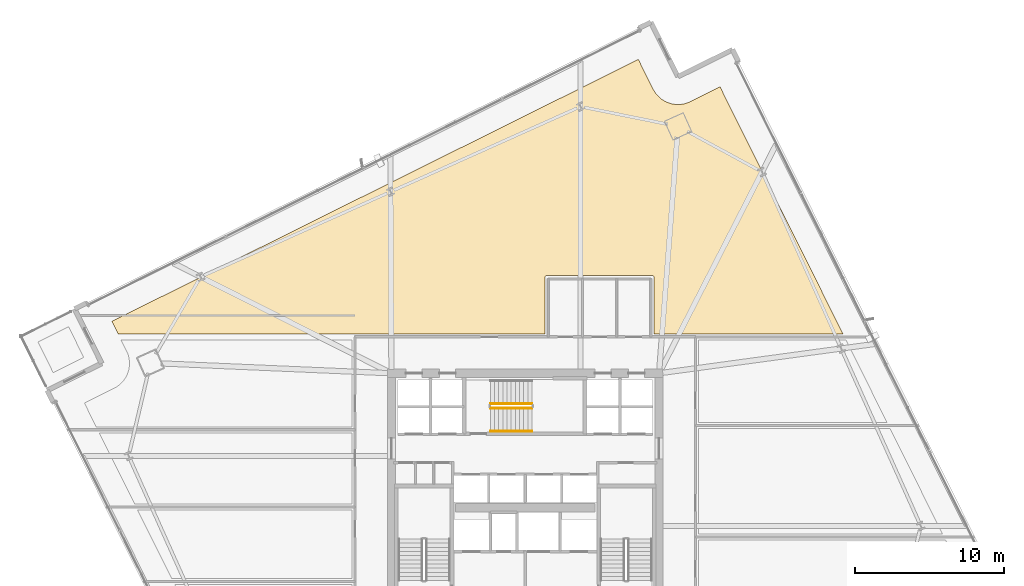
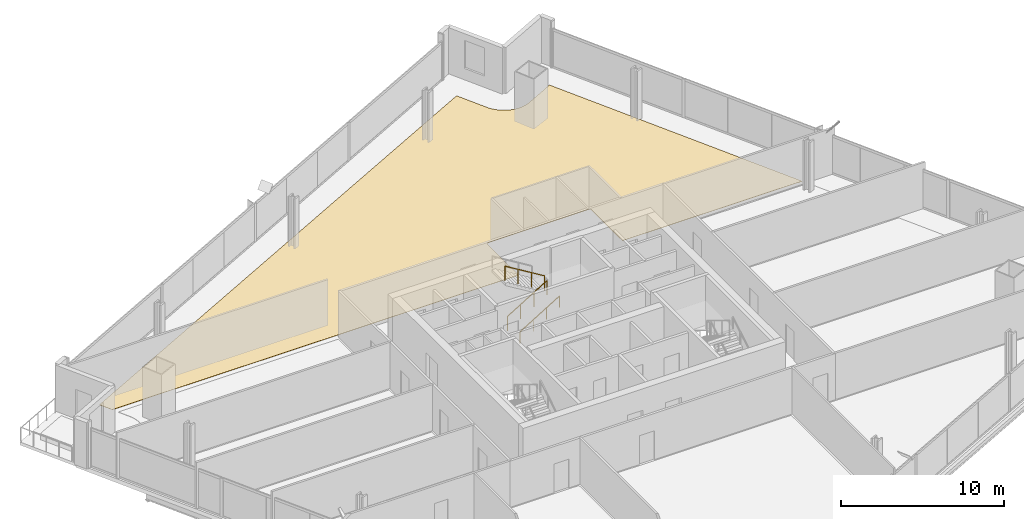
# One storey, part 33 of 35: 3 railings, 1 covering.
"""IFC4 building model written with IfcOpenShell, lengths in metres."""

import ifcopenshell
import ifcopenshell.guid

model = None  # the IFC model being written
_history = None  # IfcOwnerHistory: only IFC2X3 demands one
_inside = {}  # id of a spatial element -> (the spatial element, [elements in it])
_under = {}  # id of a project, library or spatial element -> (it, [spatial elements below it])
_declared = {}  # id of a project -> (the project, [libraries it declares])
_typed = {}  # id of a type object -> (the type object, [elements of that type])
_made_of = {}  # id of a material, layer set ... -> (it, [elements and type objects made of it])


def new_model(schema):
    """Start an empty IFC model of exactly this schema.

    Asked for "IFC4X3", IfcOpenShell would pick the latest addendum, in which some entities
    have other attributes; the version numbers below select the first issue.
    IFC2X3 requires an IfcOwnerHistory on every rooted entity: one is made here for all.
    """
    global model, _history
    if schema == "IFC4X3":
        model = ifcopenshell.file(schema_version=(4, 3, 0, 0))
    else:
        model = ifcopenshell.file(schema=schema)
    _inside.clear()
    _under.clear()
    _declared.clear()
    _typed.clear()
    _made_of.clear()
    _history = None
    if model.schema == "IFC2X3":
        org = make("IfcOrganization", Name="unknown")
        user = make(
            "IfcPersonAndOrganization",
            ThePerson=make("IfcPerson", FamilyName="unknown"),
            TheOrganization=org,
        )
        app = make(
            "IfcApplication",
            ApplicationDeveloper=org,
            Version="unknown",
            ApplicationFullName="unknown",
            ApplicationIdentifier="unknown",
        )
        _history = make(
            "IfcOwnerHistory",
            OwningUser=user,
            OwningApplication=app,
            ChangeAction="ADDED",
            CreationDate=0,
        )
    return model


def make(cls, **values):
    """One entity of the class cls with the attributes given. An attribute that is None is left unset."""
    return model.create_entity(
        cls, **{name: value for name, value in values.items() if value is not None}
    )


def rooted(cls, **values):
    """An entity with a GlobalId (a new one), such as an element, a storey or a relation."""
    return make(cls, GlobalId=ifcopenshell.guid.new(), OwnerHistory=_history, **values)


def si_unit(unit_type, name, prefix=None):
    """IfcSIUnit, for example si_unit("LENGTHUNIT", "METRE", prefix="MILLI")."""
    return make("IfcSIUnit", UnitType=unit_type, Prefix=prefix, Name=name)


def assignment(units):
    """IfcUnitAssignment: the units of a project."""
    return None if units is None else make("IfcUnitAssignment", Units=units)


def point(xyz):
    """IfcCartesianPoint."""
    return None if xyz is None else make("IfcCartesianPoint", Coordinates=xyz)


def direction(xyz):
    """IfcDirection."""
    return None if xyz is None else make("IfcDirection", DirectionRatios=xyz)


def frame(location, z_axis=None, x_axis=None):
    """IfcAxis2Placement3D, a coordinate frame: its origin and axes. An axis left out is left unset."""
    return make(
        "IfcAxis2Placement3D",
        Location=point(location),
        Axis=direction(z_axis),
        RefDirection=direction(x_axis),
    )


def frame_2d(location, x_axis=None):
    """IfcAxis2Placement2D, a coordinate frame in the plane: its origin and x axis."""
    return make(
        "IfcAxis2Placement2D", Location=point(location), RefDirection=direction(x_axis)
    )


def origin():
    """The frame at (0, 0, 0) with its axes left unset."""
    return frame((0.0, 0.0, 0.0))


def origin_2d():
    """The frame at (0, 0) in the plane with its x axis left unset."""
    return frame_2d((0.0, 0.0))


def place(relative_to, where):
    """IfcLocalPlacement: puts the frame where relative to a parent placement (None: the world)."""
    return make(
        "IfcLocalPlacement", PlacementRelTo=relative_to, RelativePlacement=where
    )


def context(
    kind, dimensions, precision=None, world=None, true_north=None, identifier=None
):
    """IfcGeometricRepresentationContext, for example the 3D "Model" context."""
    return make(
        "IfcGeometricRepresentationContext",
        ContextIdentifier=identifier,
        ContextType=kind,
        CoordinateSpaceDimension=dimensions,
        Precision=precision,
        WorldCoordinateSystem=world,
        TrueNorth=true_north,
    )


def subcontext(parent, identifier, kind, view, scale=None):
    """IfcGeometricRepresentationSubContext, for example "Body" below "Model"."""
    return make(
        "IfcGeometricRepresentationSubContext",
        ContextIdentifier=identifier,
        ContextType=kind,
        ParentContext=parent,
        TargetScale=scale,
        TargetView=view,
    )


def project(units=None, contexts=None):
    """IfcProject with its units and contexts."""
    return rooted(
        "IfcProject",
        Name="project",
        RepresentationContexts=contexts,
        UnitsInContext=assignment(units),
    )


def spatial(cls, under=None, at=None, **own):
    """A site, building, storey or space (cls), placed at a placement, below another one or the project."""
    s = rooted(cls, ObjectPlacement=at, **own)
    if under is not None:
        _under.setdefault(under.id(), (under, []))[1].append(s)
    return s


def polyline(points):
    """IfcPolyline through the points."""
    return make("IfcPolyline", Points=[point(p) for p in points])


def profile(cls, at=None, kind="AREA", **sizes):
    """A parametric profile (cls). Its sizes go by their IFC names, for example OverallWidth=200.0."""
    return make(cls, ProfileType=kind, Position=at, **sizes)


def rectangle(**sizes):
    """IfcRectangleProfileDef."""
    return profile("IfcRectangleProfileDef", **sizes)


def outline(outer, holes=None, kind="AREA"):
    """IfcArbitraryClosedProfileDef: a profile drawn as a closed curve; with holes, ...WithVoids."""
    if holes is None:
        return make("IfcArbitraryClosedProfileDef", ProfileType=kind, OuterCurve=outer)
    return make(
        "IfcArbitraryProfileDefWithVoids",
        ProfileType=kind,
        OuterCurve=outer,
        InnerCurves=holes,
    )


def extrude(swept, where, along, depth):
    """IfcExtrudedAreaSolid: the profile swept, set in the frame where, extruded along a direction by depth."""
    return make(
        "IfcExtrudedAreaSolid",
        SweptArea=swept,
        Position=where,
        ExtrudedDirection=direction(along),
        Depth=depth,
    )


def shape(context_of_items, identifier, shape_type, items):
    """IfcShapeRepresentation: the items that make up one representation, for example the "Body"."""
    return make(
        "IfcShapeRepresentation",
        ContextOfItems=context_of_items,
        RepresentationIdentifier=identifier,
        RepresentationType=shape_type,
        Items=items,
    )


def material(Name=None, Category=None):
    """IfcMaterial."""
    return make("IfcMaterial", Name=Name, Category=Category)


def layer(
    of_material, thickness, ventilated=None, Name=None, Category=None, Priority=None
):
    """IfcMaterialLayer: one layer of a wall or slab, of a material (None: an air gap)."""
    return make(
        "IfcMaterialLayer",
        Material=of_material,
        LayerThickness=thickness,
        IsVentilated=ventilated,
        Name=Name,
        Category=Category,
        Priority=Priority,
    )


def layer_set(layers, Name=None):
    """IfcMaterialLayerSet."""
    return make("IfcMaterialLayerSet", MaterialLayers=layers, LayerSetName=Name)


def made_of(thing, what):
    """Note that an element or type object is made of a material, layer set ...; save() writes the relation."""
    if what is not None:
        _made_of.setdefault(what.id(), (what, []))[1].append(thing)
    return thing


def type_object(cls, material=None, **own):
    """A type object (cls), such as IfcWallType, which elements share."""
    return made_of(rooted(cls, **own), material)


def element(
    cls,
    number,
    at=None,
    inside=None,
    cuts=None,
    type_object=None,
    material=None,
    context=None,
    identifier="Body",
    shape_type=None,
    held_by="IfcProductDefinitionShape",
    body=None,
    shapes=None,
    **own,
):
    """One element of the class cls, such as IfcWall. Its Tag is "e" and its number.

    at: its placement. inside: the storey or other place that contains it. cuts: it is an
    opening in that element (IfcRelVoidsElement). A single representation is given by context,
    identifier, shape_type and body (its items); several are given by shapes. held_by: the class
    of the entity that holds the representations. save() writes the other relations.
    """
    e = rooted(cls, Tag="e%d" % number, ObjectPlacement=at, **own)
    if body is not None:
        shapes = [shape(context, identifier, shape_type, body)]
    if shapes is not None:
        e.Representation = make(held_by, Representations=shapes)
    if inside is not None:
        _inside.setdefault(inside.id(), (inside, []))[1].append(e)
    if cuts is not None:
        rooted(
            "IfcRelVoidsElement", RelatingBuildingElement=cuts, RelatedOpeningElement=e
        )
    if type_object is not None:
        _typed.setdefault(type_object.id(), (type_object, []))[1].append(e)
    return made_of(e, material)


def aggregate(whole, parts):
    """IfcRelAggregates: a whole, such as a stair, and the parts it consists of."""
    return rooted("IfcRelAggregates", RelatingObject=whole, RelatedObjects=parts)


def save(model, path):
    """Write the relations noted so far, then the file.

    IfcRelAggregates (storeys below a building ...), IfcRelContainedInSpatialStructure (elements
    in a storey), IfcRelDefinesByType, IfcRelAssociatesMaterial and IfcRelDeclares: one each for
    every whole, place, type object, material and project.
    """
    for whole, parts in _under.values():
        aggregate(whole, parts)
    for where, things in _inside.values():
        rooted(
            "IfcRelContainedInSpatialStructure",
            RelatedElements=things,
            RelatingStructure=where,
        )
    for kind, things in _typed.values():
        rooted("IfcRelDefinesByType", RelatedObjects=things, RelatingType=kind)
    for what, things in _made_of.values():
        rooted("IfcRelAssociatesMaterial", RelatedObjects=things, RelatingMaterial=what)
    for by, libraries in _declared.values():
        rooted("IfcRelDeclares", RelatingContext=by, RelatedDefinitions=libraries)
    model.write(path)


model = new_model("IFC4")

# Units and contexts
model_context = context("Model", 3, precision=1e-05, world=origin(), true_north=direction((0.0, 1.0)))
body_context = subcontext(model_context, "Body", "Model", "MODEL_VIEW")
ifc_project = project(units=[si_unit("LENGTHUNIT", "METRE"), si_unit("AREAUNIT", "SQUARE_METRE"), si_unit("VOLUMEUNIT", "CUBIC_METRE"), si_unit("PLANEANGLEUNIT", "RADIAN"), si_unit("MASSUNIT", "GRAM", prefix="KILO")], contexts=[model_context])

# Site, building, storey
site_placement = place(None, origin())
site = spatial("IfcSite", under=ifc_project, at=site_placement, CompositionType="ELEMENT")
building_placement = place(site_placement, origin())
building = spatial("IfcBuilding", under=site, at=building_placement, Name="Haldenkirk Collegiate Tower", CompositionType="ELEMENT")
storey_placement = place(building_placement, frame((0.0, 0.0, 116.699951171875)))
storey = spatial("IfcBuildingStorey", under=building, at=storey_placement, Name="L28", CompositionType="ELEMENT", Elevation=116.699951171875)

# Covering
ifc_material_1 = material(Name="Engineered collegiate oak acoustic flooring", Category="wood")
ifc_layer = layer(ifc_material_1, 0.02197265625)
ifc_layer_set = layer_set([ifc_layer], Name="Engineered collegiate oak acoustic flooring")
covering_type = type_object("IfcCoveringType", Name="COV-FLOOR-TIMBER", PredefinedType="FLOORING", material=ifc_layer_set)
covering_placement = place(storey_placement, origin())
element("IfcCovering", 1, at=covering_placement, inside=storey, type_object=covering_type, Name="L28 academic room finish 05", PredefinedType="FLOORING", context=body_context, shape_type="SweptSolid", body=[
    extrude(outline(polyline([(43.607421875, 55.1162109375), (44.600830078125, 53.11962890625), (44.603515625, 53.114501953125), (44.6875, 52.964599609375), (44.693603515625, 52.95458984375), (44.7919921875, 52.813720703125), (44.799072265625, 52.804443359375), (44.91064453125, 52.673828125), (44.918701171875, 52.665283203125), (45.04248046875, 52.54638671875), (45.051513671875, 52.53857421875), (45.186279296875, 52.432373046875), (45.19580078125, 52.425537109375), (45.340576171875, 52.3330078125), (45.350830078125, 52.3271484375), (45.50390625, 52.249267578125), (45.5146484375, 52.244384765625), (45.674560546875, 52.181640625), (45.685791015625, 52.177978515625), (45.85107421875, 52.13134765625), (45.862548828125, 52.12890625), (46.031494140625, 52.0986328125), (46.043212890625, 52.09716796875), (46.21435546875, 52.083740234375), (46.226318359375, 52.083251953125), (46.39794921875, 52.0869140625), (46.40966796875, 52.087646484375), (46.580078125, 52.10791015625), (46.591796875, 52.10986328125), (46.759521484375, 52.146484375), (46.77099609375, 52.149658203125), (46.934326171875, 52.202880859375), (46.9453125, 52.20703125), (47.1025390625, 52.27587890625), (47.10791015625, 52.2783203125), (49.1044921875, 53.271484375), (57.37353515625, 36.64990234375), (44.669921875, 36.64990234375), (44.669921875, 40.449951171875), (44.66943359375, 40.4619140625), (44.667724609375, 40.473388671875), (44.664794921875, 40.48486328125), (44.660888671875, 40.495849609375), (44.65576171875, 40.506591796875), (44.64990234375, 40.5166015625), (44.642822265625, 40.526123046875), (44.635009765625, 40.534912109375), (44.626220703125, 40.542724609375), (44.61669921875, 40.5498046875), (44.606689453125, 40.555908203125), (44.595947265625, 40.560791015625), (44.584716796875, 40.564697265625), (44.573486328125, 40.567626953125), (44.561767578125, 40.5693359375), (44.550048828125, 40.570068359375), (37.449951171875, 40.570068359375), (37.438232421875, 40.5693359375), (37.426513671875, 40.567626953125), (37.415283203125, 40.564697265625), (37.404052734375, 40.560791015625), (37.393310546875, 40.555908203125), (37.38330078125, 40.5498046875), (37.373779296875, 40.542724609375), (37.364990234375, 40.534912109375), (37.357177734375, 40.526123046875), (37.35009765625, 40.5166015625), (37.34423828125, 40.506591796875), (37.339111328125, 40.495849609375), (37.335205078125, 40.48486328125), (37.332275390625, 40.473388671875), (37.33056640625, 40.4619140625), (37.330078125, 40.449951171875), (37.330078125, 36.64990234375), (8.609130859375, 36.64990234375), (8.1884765625, 37.49560546875), (43.607421875, 55.1162109375)])), origin(), (0.0, 0.0, 1.0), 0.02197265625),
])

# Railings
ifc_material_2 = material(Name="Painted architectural tubular steel", Category="steel")
railing_type_1 = type_object("IfcRailingType", Name="RLG-STAIR-GUARD-1100", PredefinedType="BALUSTRADE", material=ifc_material_2)
railing_1_placement = place(storey_placement, frame((33.64990234375, 31.64990234375, 0.17041015625)))
element("IfcRailing", 2, at=railing_1_placement, inside=storey, type_object=railing_type_1, Name="L28 ST-3 stair guard 1", PredefinedType="BALUSTRADE", context=body_context, shape_type="SweptSolid", body=[
    extrude(rectangle(XDim=0.048095703125, YDim=0.048095703125, at=origin_2d()), frame((0.0, 0.0, 1.076171875), z_axis=(0.854169791009, 0.0, 0.51999420009), x_axis=(0.0, 1.0, 0.0)), (0.0, 0.0, 1.0), 3.278076171875),
    extrude(rectangle(XDim=0.0419921875, YDim=0.0419921875, at=origin_2d()), origin(), (0.0, 0.0, 1.0), 1.052001953125),
    extrude(rectangle(XDim=0.0419921875, YDim=0.0419921875, at=origin_2d()), frame((0.933349609375, 0.0, 0.568115234375)), (0.0, 0.0, 1.0), 1.052001953125),
    extrude(rectangle(XDim=0.0419921875, YDim=0.0419921875, at=origin_2d()), frame((1.86669921875, 0.0, 1.136474609375)), (0.0, 0.0, 1.0), 1.052001953125),
    extrude(rectangle(XDim=0.0419921875, YDim=0.0419921875, at=origin_2d()), frame((2.800048828125, 0.0, 1.70458984375)), (0.0, 0.0, 1.0), 1.052001953125),
])
railing_2_placement = place(storey_placement, frame((36.449951171875, 31.949951171875, 2.04541015625)))
element("IfcRailing", 3, at=railing_2_placement, inside=storey, type_object=railing_type_1, Name="L28 ST-3 stair guard 3", PredefinedType="BALUSTRADE", context=body_context, shape_type="SweptSolid", body=[
    extrude(rectangle(XDim=0.048095703125, YDim=0.048095703125, at=origin_2d()), frame((0.0, 0.0, 1.076171875), z_axis=(-0.854169791009, 0.0, 0.51999420009), x_axis=(0.0, -1.0, 0.0)), (0.0, 0.0, 1.0), 3.278076171875),
    extrude(rectangle(XDim=0.0419921875, YDim=0.0419921875, at=origin_2d()), origin(), (0.0, 0.0, 1.0), 1.052001953125),
    extrude(rectangle(XDim=0.0419921875, YDim=0.0419921875, at=origin_2d()), frame((-0.933349609375, 0.0, 0.568115234375)), (0.0, 0.0, 1.0), 1.052001953125),
    extrude(rectangle(XDim=0.0419921875, YDim=0.0419921875, at=origin_2d()), frame((-1.86669921875, 0.0, 1.136474609375)), (0.0, 0.0, 1.0), 1.052001953125),
    extrude(rectangle(XDim=0.0419921875, YDim=0.0419921875, at=origin_2d()), frame((-2.800048828125, 0.0, 1.70458984375)), (0.0, 0.0, 1.0), 1.052001953125),
])
railing_type_2 = type_object("IfcRailingType", Name="RLG-STAIR-HANDRAIL-900", PredefinedType="HANDRAIL", material=ifc_material_2)
railing_3_placement = place(storey_placement, frame((33.64990234375, 30.10009765625, 0.17041015625)))
element("IfcRailing", 4, at=railing_3_placement, inside=storey, type_object=railing_type_2, Name="L28 ST-3 stair handrail 1", PredefinedType="HANDRAIL", context=body_context, shape_type="SweptSolid", body=[
    extrude(rectangle(XDim=0.048095703125, YDim=0.048095703125, at=origin_2d()), frame((0.0, 0.0, 0.8759765625), z_axis=(0.854169791009, 0.0, 0.51999420009), x_axis=(0.0, 1.0, 0.0)), (0.0, 0.0, 1.0), 3.278076171875),
    extrude(rectangle(XDim=0.0419921875, YDim=0.0419921875, at=origin_2d()), origin(), (0.0, 0.0, 1.0), 0.851806640625),
    extrude(rectangle(XDim=0.0419921875, YDim=0.0419921875, at=origin_2d()), frame((0.933349609375, 0.0, 0.568115234375)), (0.0, 0.0, 1.0), 0.851806640625),
    extrude(rectangle(XDim=0.0419921875, YDim=0.0419921875, at=origin_2d()), frame((1.86669921875, 0.0, 1.136474609375)), (0.0, 0.0, 1.0), 0.851806640625),
    extrude(rectangle(XDim=0.0419921875, YDim=0.0419921875, at=origin_2d()), frame((2.800048828125, 0.0, 1.70458984375)), (0.0, 0.0, 1.0), 0.851806640625),
])

save(model, "model.ifc")
